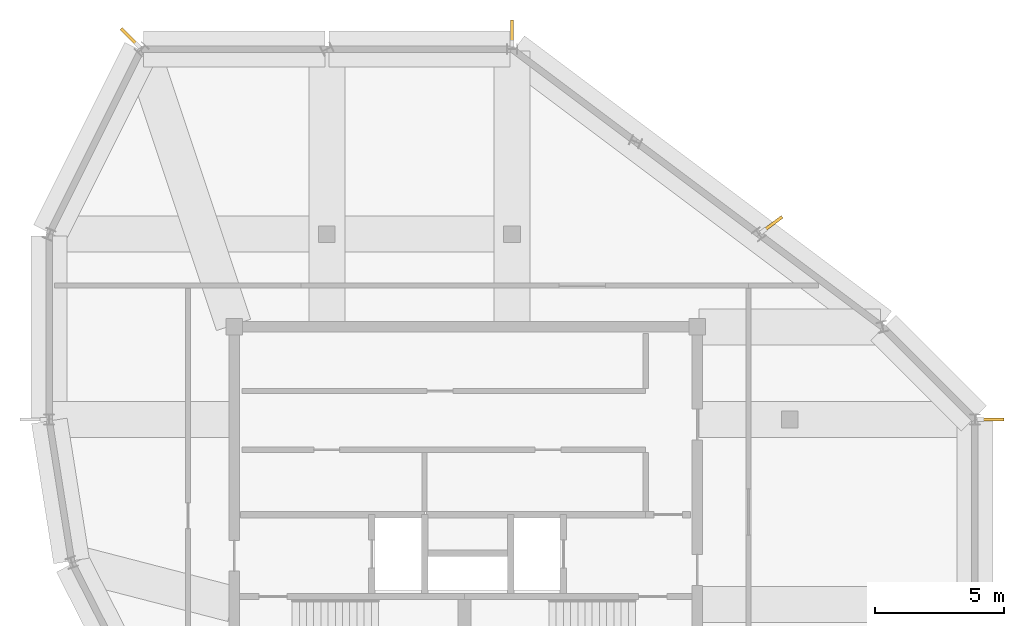
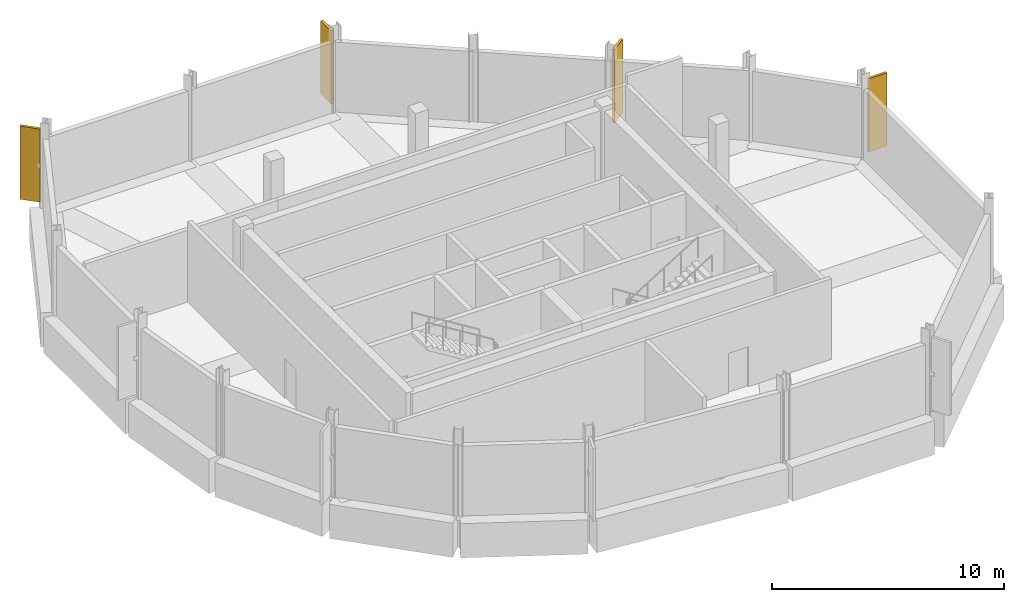
# One storey, part 5 of 5: 4 shading devices.
"""IFC4 building model written with IfcOpenShell, lengths in metres."""

from ifc_helpers import new_model, si_unit, direction, frame, origin, origin_2d, place, context, subcontext, project, spatial, rectangle, extrude, material, type_object, element, save


model = new_model("IFC4")

# Units and contexts
model_context = context("Model", 3, precision=1e-05, world=origin(), true_north=direction((0.0, 1.0)))
body_context = subcontext(model_context, "Body", "Model", "MODEL_VIEW")
ifc_project = project(units=[si_unit("LENGTHUNIT", "METRE"), si_unit("AREAUNIT", "SQUARE_METRE"), si_unit("VOLUMEUNIT", "CUBIC_METRE"), si_unit("PLANEANGLEUNIT", "RADIAN"), si_unit("MASSUNIT", "GRAM", prefix="KILO")], contexts=[model_context])

# Site, building, storey
site_placement = place(None, origin())
site = spatial("IfcSite", under=ifc_project, at=site_placement, CompositionType="ELEMENT")
building_placement = place(site_placement, origin())
building = spatial("IfcBuilding", under=site, at=building_placement, Name="Solnavia Interchange Tower", CompositionType="ELEMENT")
storey_placement = place(building_placement, frame((0.0, 0.0, 304.199951171875)))
storey = spatial("IfcBuildingStorey", under=building, at=storey_placement, Name="C01", CompositionType="ELEMENT", Elevation=304.199951171875)

# Shading devices
ifc_material = material(Name="Anodised Aluminium Fin", Category="aluminium")
shading_device_type = type_object("IfcShadingDeviceType", Name="CrownFin-Alu-900", PredefinedType="USERDEFINED", material=ifc_material)
for number, where, z_axis, x_axis, name in (
    (1, (43.8798828125, 21.60009765625, 0.199951171875), (0.0, 0.0, 1.0), (1.0, 0.0, 0.0), "FIN-C01-F01 Crown ring vertical aerofoil fin"),
    (2, (35.343994140625, 29.2080078125, 0.199951171875), (0.0, 0.0, 1.0), (0.799998928149, 0.600001429133, 0.0), "FIN-C01-F03 Crown ring vertical aerofoil fin"),
    (3, (25.199951171875, 36.679931640625, 0.199951171875), (0.0, 0.0, 1.0), (0.0, 1.0, 0.0), "FIN-C01-F05 Crown ring vertical aerofoil fin"),
    (4, (10.319091796875, 36.480712890625, 0.199951171875), (0.0, 0.0, 1.0), (-0.707106781187, 0.707106781187, 0.0), "FIN-C01-F07 Crown ring vertical aerofoil fin"),
):
    element("IfcShadingDevice", number, at=place(storey_placement, frame(where, z_axis=z_axis, x_axis=x_axis)), inside=storey, type_object=shading_device_type, Name=name, ObjectType="FIN", PredefinedType="USERDEFINED", context=body_context, shape_type="SweptSolid", body=[
        extrude(rectangle(XDim=0.89990234375, YDim=0.1201171875, at=origin_2d()), origin(), (0.0, 0.0, 1.0), 3.85009765625),
    ])

save(model, "model.ifc")
